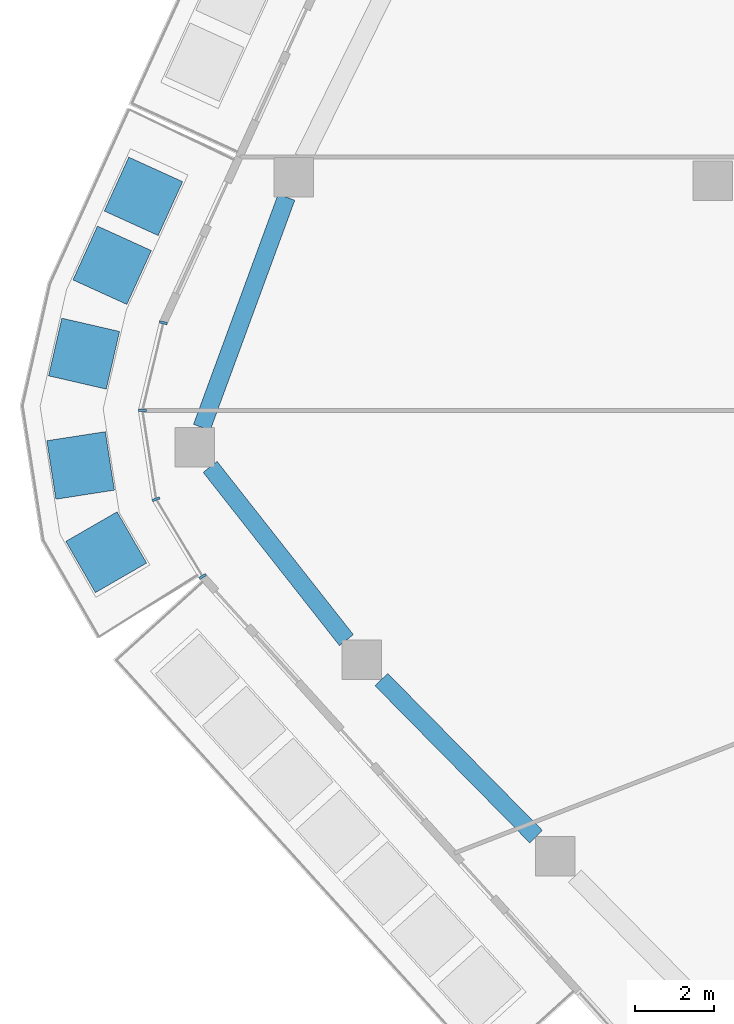
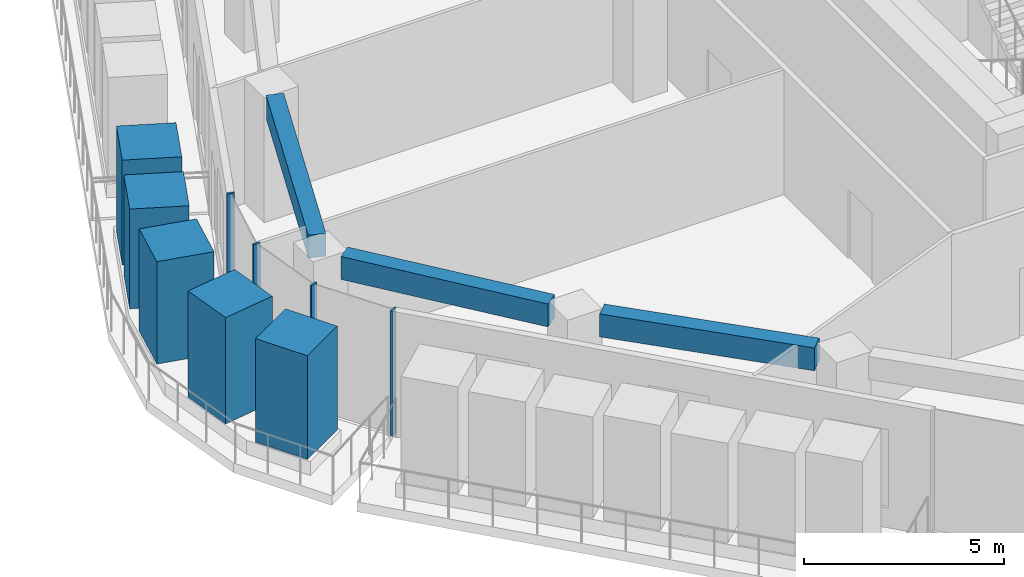
# One storey, part 3 of 23: 9 members, 3 beams, 1 element without a shape of its own.
"""IFC4 building model written with IfcOpenShell, lengths in metres."""

from ifc_helpers import new_model, si_unit, direction, frame, origin, origin_2d, place, context, subcontext, project, spatial, rectangle, extrude, material, layer, layer_set, material_profile, profile_set, type_object, element, aggregate, save


model = new_model("IFC4")

# Units and contexts
model_context = context("Model", 3, precision=1e-05, world=origin(), true_north=direction((0.0, 1.0)))
body_context = subcontext(model_context, "Body", "Model", "MODEL_VIEW")
ifc_project = project(units=[si_unit("LENGTHUNIT", "METRE"), si_unit("AREAUNIT", "SQUARE_METRE"), si_unit("VOLUMEUNIT", "CUBIC_METRE"), si_unit("PLANEANGLEUNIT", "RADIAN"), si_unit("MASSUNIT", "GRAM", prefix="KILO")], contexts=[model_context])

# Site, building, storey
site_placement = place(None, origin())
site = spatial("IfcSite", under=ifc_project, at=site_placement, CompositionType="ELEMENT")
building_placement = place(site_placement, origin())
building = spatial("IfcBuilding", under=site, at=building_placement, Name="Dongbaek Canopy Tower", CompositionType="ELEMENT")
storey_placement = place(building_placement, frame((0.0, 0.0, 315.199951171875)))
storey = spatial("IfcBuildingStorey", under=building, at=storey_placement, Name="L67", CompositionType="ELEMENT", Elevation=315.199951171875)

# Curtain wall, members
ifc_material_1 = material(Name="Aluminium 6063-T6 pale anodised", Category="aluminium")
ifc_layer = layer(ifc_material_1, 0.199951171875)
ifc_layer_set = layer_set([ifc_layer], Name="CW-1 unitised tower curtain wall")
curtain_wall_type = type_object("IfcCurtainWallType", Name="CW-1 unitised tower curtain wall", PredefinedType="NOTDEFINED", material=ifc_layer_set)
curtain_wall_placement = place(storey_placement, origin())
curtain_wall = element("IfcCurtainWall", 1, at=curtain_wall_placement, inside=storey, type_object=curtain_wall_type, Name="CW-1 curtain wall K3.1", PredefinedType="NOTDEFINED")
ifc_material_2 = material(Name="Aluminium 6063-T6 pale anodised", Category="aluminium")
ifc_material_profile_1 = material_profile(ifc_material_2, rectangle(XDim=0.199951171875, YDim=0.06005859375, at=origin_2d()), Name="CW-1 mullion 60 x 200")
ifc_profile_set_1 = profile_set([ifc_material_profile_1], Name="Aluminium 6063-T6 pale anodised")
member_type_1 = type_object("IfcMemberType", Name="CW-1 mullion 60 x 200", PredefinedType="MULLION", material=ifc_profile_set_1)
member_1_placement = place(storey_placement, frame((-31.920654296875, -3.59375, 0.0), z_axis=(0.0, 0.0, 1.0), x_axis=(-0.972600692253, 0.232482028187, 0.0)))
member_1 = element("IfcMember", 2, at=member_1_placement, type_object=member_type_1, Name="CW-1 mullion K3.1.1", PredefinedType="MULLION", context=body_context, shape_type="SweptSolid", body=[
    extrude(rectangle(XDim=0.199951171875, YDim=0.06005859375, at=origin_2d()), origin(), (0.0, 0.0, 1.0), 3.820068359375),
])
member_2_placement = place(storey_placement, frame((-32.451904296875, -5.81640625, 0.0), z_axis=(0.0, 0.0, 1.0), x_axis=(-0.999178724078, 0.040520085748, 0.0)))
member_2 = element("IfcMember", 3, at=member_2_placement, type_object=member_type_1, Name="CW-1 mullion K3.1.2", PredefinedType="MULLION", context=body_context, shape_type="SweptSolid", body=[
    extrude(rectangle(XDim=0.199951171875, YDim=0.06005859375, at=origin_2d()), origin(), (0.0, 0.0, 1.0), 3.820068359375),
])
member_3_placement = place(storey_placement, frame((-32.10400390625, -8.06494140625, 0.0), z_axis=(0.0, 0.0, 1.0), x_axis=(-0.940171100835, -0.340702657979, 0.0)))
member_3 = element("IfcMember", 4, at=member_3_placement, type_object=member_type_1, Name="CW-1 mullion K3.1.3", PredefinedType="MULLION", context=body_context, shape_type="SweptSolid", body=[
    extrude(rectangle(XDim=0.199951171875, YDim=0.06005859375, at=origin_2d()), origin(), (0.0, 0.0, 1.0), 3.820068359375),
])
member_4_placement = place(storey_placement, frame((-30.925537109375, -10.022705078125, 0.0), z_axis=(0.0, 0.0, 1.0), x_axis=(-0.856801523031, -0.51564634211, 0.0)))
member_4 = element("IfcMember", 5, at=member_4_placement, type_object=member_type_1, Name="CW-1 mullion K3.1.4", PredefinedType="MULLION", context=body_context, shape_type="SweptSolid", body=[
    extrude(rectangle(XDim=0.199951171875, YDim=0.06005859375, at=origin_2d()), origin(), (0.0, 0.0, 1.0), 3.820068359375),
])
aggregate(curtain_wall, [member_1, member_2, member_3, member_4])

# Beams
ifc_material_3 = material(Name="Concrete C60", Category="concrete")
ifc_material_profile_2 = material_profile(ifc_material_3, rectangle(XDim=0.449951171875, YDim=0.699951171875, at=origin_2d()), Name="RC EDGE BEAM 450x700 C60")
ifc_profile_set_2 = profile_set([ifc_material_profile_2], Name="Concrete C60")
beam_type = type_object("IfcBeamType", Name="RC EDGE BEAM 450x700 C60", PredefinedType="BEAM", material=ifc_profile_set_2)
beam_1_placement = place(storey_placement, frame((-22.478515625, -16.612060546875, 3.469970703125), z_axis=(-0.701708081315, 0.712464573588, 0.0), x_axis=(-0.712464573588, -0.701708081315, 0.0)))
element("IfcBeam", 6, at=beam_1_placement, inside=storey, type_object=beam_type, Name="EDGEBEAM:L67:06", PredefinedType="BEAM", context=body_context, shape_type="SweptSolid", body=[
    extrude(rectangle(XDim=0.449951171875, YDim=0.699951171875, at=origin_2d()), origin(), (0.0, 0.0, 1.0), 5.58349609375),
])
beam_2_placement = place(storey_placement, frame((-27.282470703125, -11.634033203125, 3.469970703125), z_axis=(-0.618340786972, 0.78591009102, 0.0), x_axis=(-0.78591009102, -0.618340786972, 0.0)))
element("IfcBeam", 7, at=beam_2_placement, inside=storey, type_object=beam_type, Name="EDGEBEAM:L67:07", PredefinedType="BEAM", context=body_context, shape_type="SweptSolid", body=[
    extrude(rectangle(XDim=0.449951171875, YDim=0.699951171875, at=origin_2d()), origin(), (0.0, 0.0, 1.0), 5.58447265625),
])
beam_3_placement = place(storey_placement, frame((-30.945068359375, -6.2451171875, 3.469970703125), z_axis=(0.345138950659, 0.938551599401, 0.0), x_axis=(-0.938551599401, 0.345138950659, 0.0)))
element("IfcBeam", 8, at=beam_3_placement, inside=storey, type_object=beam_type, Name="EDGEBEAM:L67:08", PredefinedType="BEAM", context=body_context, shape_type="SweptSolid", body=[
    extrude(rectangle(XDim=0.449951171875, YDim=0.699951171875, at=origin_2d()), origin(), (0.0, 0.0, 1.0), 6.212890625),
])

# Members
ifc_material_4 = material(Name="Concrete C40/50 planter mass with planting", Category="concrete")
ifc_material_profile_3 = material_profile(ifc_material_4, rectangle(XDim=1.5, YDim=1.5, at=origin_2d()), Name="Terrace PLANTER shrub mass 1500 x 1500")
ifc_profile_set_3 = profile_set([ifc_material_profile_3], Name="Concrete C40/50 planter mass with planting")
member_type_2 = type_object("IfcMemberType", Name="Terrace PLANTER shrub mass 1500 x 1500", PredefinedType="USERDEFINED", material=ifc_profile_set_3)
member_5_placement = place(storey_placement, frame((-32.423095703125, -0.39208984375, 0.420166015625), z_axis=(0.0, 0.0, 1.0), x_axis=(-0.910355874039, 0.413826271039, 0.0)))
element("IfcMember", 9, at=member_5_placement, inside=storey, type_object=member_type_2, Name="Planter shrubs L67 6.1", ObjectType="PLANTER", PredefinedType="USERDEFINED", context=body_context, shape_type="SweptSolid", body=[
    extrude(rectangle(XDim=1.5, YDim=1.5, at=origin_2d()), origin(), (0.0, 0.0, 1.0), 3.2099609375),
])
member_6_placement = place(storey_placement, frame((-33.216796875, -2.137939453125, 0.420166015625), z_axis=(0.0, 0.0, 1.0), x_axis=(-0.910355874039, 0.413826271039, 0.0)))
element("IfcMember", 10, at=member_6_placement, inside=storey, type_object=member_type_2, Name="Planter shrubs L67 6.2", ObjectType="PLANTER", PredefinedType="USERDEFINED", context=body_context, shape_type="SweptSolid", body=[
    extrude(rectangle(XDim=1.5, YDim=1.5, at=origin_2d()), origin(), (0.0, 0.0, 1.0), 3.0498046875),
])
member_7_placement = place(storey_placement, frame((-33.927978515625, -4.377197265625, 0.420166015625), z_axis=(0.0, 0.0, 1.0), x_axis=(-0.974537245285, 0.224225684416, 0.0)))
element("IfcMember", 11, at=member_7_placement, inside=storey, type_object=member_type_2, Name="Planter shrubs L67 6.3", ObjectType="PLANTER", PredefinedType="USERDEFINED", context=body_context, shape_type="SweptSolid", body=[
    extrude(rectangle(XDim=1.5, YDim=1.5, at=origin_2d()), origin(), (0.0, 0.0, 1.0), 3.1298828125),
])
member_8_placement = place(storey_placement, frame((-34.015625, -7.20947265625, 0.420166015625), z_axis=(0.0, 0.0, 1.0), x_axis=(-0.988231820441, -0.15296362008, 0.0)))
element("IfcMember", 12, at=member_8_placement, inside=storey, type_object=member_type_2, Name="Planter shrubs L67 6.4", ObjectType="PLANTER", PredefinedType="USERDEFINED", context=body_context, shape_type="SweptSolid", body=[
    extrude(rectangle(XDim=1.5, YDim=1.5, at=origin_2d()), origin(), (0.0, 0.0, 1.0), 3.25),
])
member_9_placement = place(storey_placement, frame((-33.366455078125, -9.40771484375, 0.420166015625), z_axis=(0.0, 0.0, 1.0), x_axis=(-0.866328530905, -0.499474600496, 0.0)))
element("IfcMember", 13, at=member_9_placement, inside=storey, type_object=member_type_2, Name="Planter shrubs L67 6.5", ObjectType="PLANTER", PredefinedType="USERDEFINED", context=body_context, shape_type="SweptSolid", body=[
    extrude(rectangle(XDim=1.5, YDim=1.5, at=origin_2d()), origin(), (0.0, 0.0, 1.0), 3.169921875),
])

save(model, "model.ifc")
